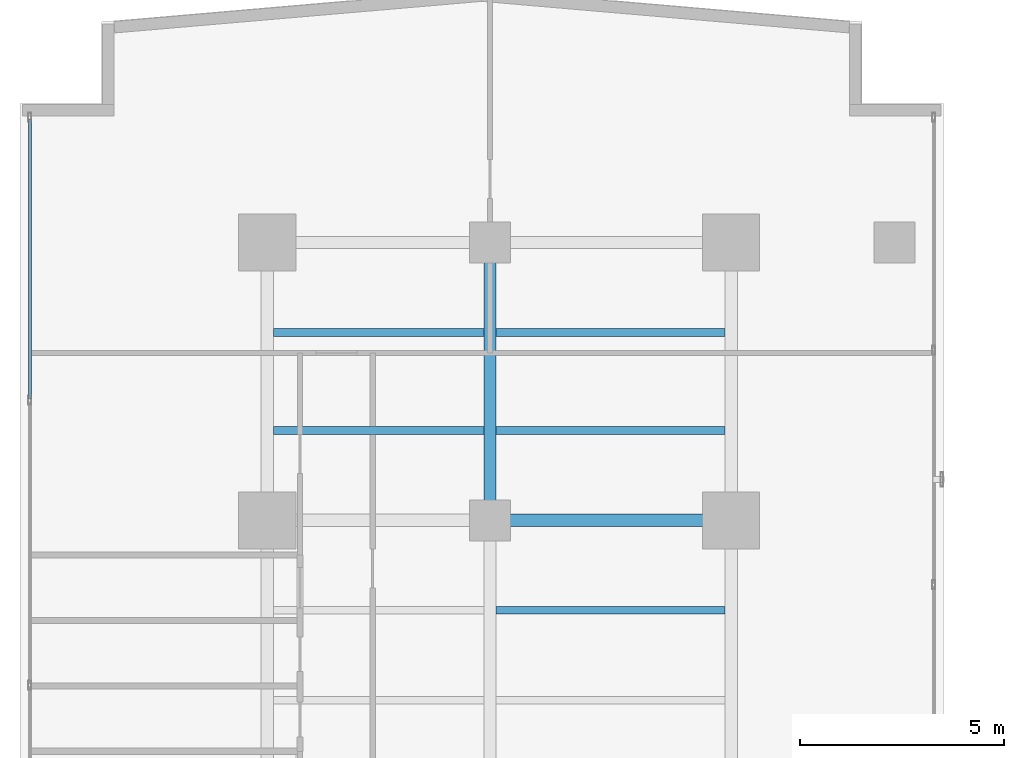
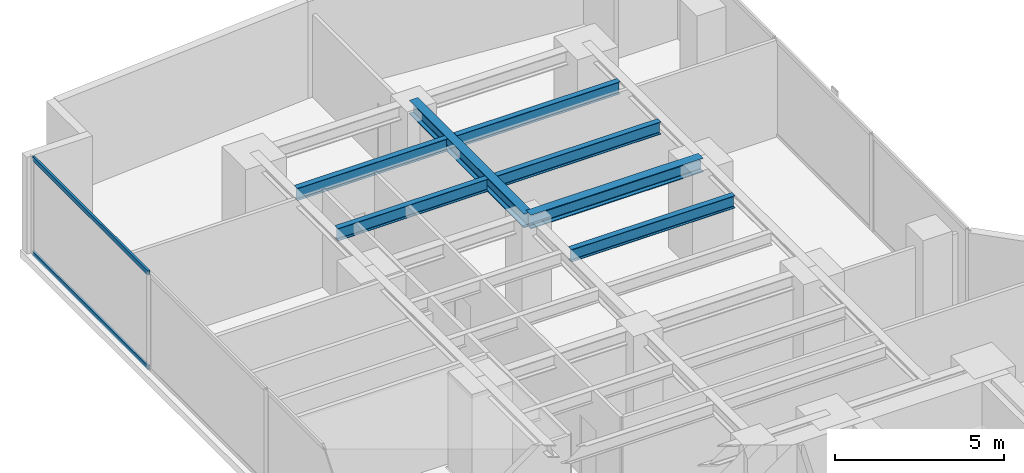
# One storey, part 15 of 25: 7 beams, 2 members, 1 element without a shape of its own.
"""IFC4 building model written with IfcOpenShell, lengths in metres."""

from ifc_helpers import new_model, si_unit, direction, frame, origin, origin_with_axes, origin_2d, place, context, subcontext, project, spatial, hollow_rectangle, i_section, extrude, source, transform, mapped, material, layer, layer_set, material_profile, profile_set, type_object, element, aggregate, save


model = new_model("IFC4")

# Units and contexts
model_context = context("Model", 3, precision=1e-05, world=origin(), true_north=direction((0.0, 1.0)))
body_context = subcontext(model_context, "Body", "Model", "MODEL_VIEW")
ifc_project = project(units=[si_unit("LENGTHUNIT", "METRE"), si_unit("AREAUNIT", "SQUARE_METRE"), si_unit("VOLUMEUNIT", "CUBIC_METRE"), si_unit("PLANEANGLEUNIT", "RADIAN"), si_unit("MASSUNIT", "GRAM", prefix="KILO")], contexts=[model_context])

# Site, building, storey
site_placement = place(None, origin())
site = spatial("IfcSite", under=ifc_project, at=site_placement, CompositionType="ELEMENT")
building_placement = place(site_placement, origin())
building = spatial("IfcBuilding", under=site, at=building_placement, Name="Kolvaren Waterfront Exchange", CompositionType="ELEMENT")
storey_placement = place(building_placement, frame((0.0, 0.0, 106.89990234375)))
storey = spatial("IfcBuildingStorey", under=building, at=storey_placement, Name="L27", CompositionType="ELEMENT", Elevation=106.89990234375)

# Beams
ifc_material_1 = material(Name="Steel S355", Category="steel")
ifc_material_profile_1 = material_profile(ifc_material_1, i_section(OverallWidth=0.300048828125, OverallDepth=0.5, WebThickness=0.014404296875, FlangeThickness=0.028076171875, FilletRadius=0.027099609375, at=origin_2d()), Name="HEB500")
ifc_profile_set_1 = profile_set([ifc_material_profile_1], Name="Steel S355")
beam_type_1 = type_object("IfcBeamType", Name="STR-BM-HEB500", PredefinedType="BEAM", material=ifc_profile_set_1)
beam_1_placement = place(storey_placement, frame((12.89990234375, 37.800048828125, 3.25), z_axis=(1.0, 0.0, 0.0), x_axis=(0.0, 1.0, 0.0)))
element("IfcBeam", 1, at=beam_1_placement, inside=storey, type_object=beam_type_1, Name="L27 north-arm girder 3B", PredefinedType="BEAM", context=body_context, shape_type="SweptSolid", body=[
    extrude(i_section(OverallWidth=0.300048828125, OverallDepth=0.5, WebThickness=0.014404296875, FlangeThickness=0.028076171875, FilletRadius=0.027099609375, at=origin_2d()), origin(), (0.0, 0.0, 1.0), 5.900146484375),
])
beam_2_placement = place(storey_placement, frame((12.89990234375, 37.800048828125, 3.25), z_axis=(0.0, 1.0, 0.0), x_axis=(-1.0, 0.0, 0.0)))
element("IfcBeam", 2, at=beam_2_placement, inside=storey, type_object=beam_type_1, Name="L27 north-arm edge beam 3", PredefinedType="BEAM", context=body_context, shape_type="SweptSolid", body=[
    extrude(i_section(OverallWidth=0.300048828125, OverallDepth=0.5, WebThickness=0.014404296875, FlangeThickness=0.028076171875, FilletRadius=0.027099609375, at=origin_2d()), origin(), (0.0, 0.0, 1.0), 6.800048828125),
])
ifc_material_profile_2 = material_profile(ifc_material_1, i_section(OverallWidth=0.18994140625, OverallDepth=0.449951171875, WebThickness=0.009521484375, FlangeThickness=0.0146484375, FilletRadius=0.02099609375, at=origin_2d()), Name="IPE450")
ifc_profile_set_2 = profile_set([ifc_material_profile_2], Name="Steel S355")
beam_type_2 = type_object("IfcBeamType", Name="STR-BM-IPE450", PredefinedType="JOIST", material=ifc_profile_set_2)
beam_3_placement = place(storey_placement, frame((13.052001953125, 35.60009765625, 3.275146484375), z_axis=(1.0, 0.0, 0.0), x_axis=(0.0, 1.0, 0.0)))
element("IfcBeam", 3, at=beam_3_placement, inside=storey, type_object=beam_type_2, Name="L27 north-arm composite joist 4B", PredefinedType="JOIST", context=body_context, shape_type="SweptSolid", body=[
    extrude(i_section(OverallWidth=0.18994140625, OverallDepth=0.449951171875, WebThickness=0.009521484375, FlangeThickness=0.0146484375, FilletRadius=0.02099609375, at=origin_2d()), origin(), (0.0, 0.0, 1.0), 5.595947265625),
])
beam_4_placement = place(storey_placement, frame((7.60205078125, 40.0, 3.275146484375), z_axis=(1.0, 0.0, 0.0), x_axis=(0.0, 1.0, 0.0)))
element("IfcBeam", 4, at=beam_4_placement, inside=storey, type_object=beam_type_2, Name="L27 north-arm composite joist 5A", PredefinedType="JOIST", context=body_context, shape_type="SweptSolid", body=[
    extrude(i_section(OverallWidth=0.18994140625, OverallDepth=0.449951171875, WebThickness=0.009521484375, FlangeThickness=0.0146484375, FilletRadius=0.02099609375, at=origin_2d()), origin(), (0.0, 0.0, 1.0), 5.14599609375),
])
beam_5_placement = place(storey_placement, frame((13.052001953125, 40.0, 3.275146484375), z_axis=(1.0, 0.0, 0.0), x_axis=(0.0, 1.0, 0.0)))
element("IfcBeam", 5, at=beam_5_placement, inside=storey, type_object=beam_type_2, Name="L27 north-arm composite joist 5B", PredefinedType="JOIST", context=body_context, shape_type="SweptSolid", body=[
    extrude(i_section(OverallWidth=0.18994140625, OverallDepth=0.449951171875, WebThickness=0.009521484375, FlangeThickness=0.0146484375, FilletRadius=0.02099609375, at=origin_2d()), origin(), (0.0, 0.0, 1.0), 5.595947265625),
])
beam_6_placement = place(storey_placement, frame((7.60205078125, 42.39990234375, 3.275146484375), z_axis=(1.0, 0.0, 0.0), x_axis=(0.0, 1.0, 0.0)))
element("IfcBeam", 6, at=beam_6_placement, inside=storey, type_object=beam_type_2, Name="L27 north-arm composite joist 6A", PredefinedType="JOIST", context=body_context, shape_type="SweptSolid", body=[
    extrude(i_section(OverallWidth=0.18994140625, OverallDepth=0.449951171875, WebThickness=0.009521484375, FlangeThickness=0.0146484375, FilletRadius=0.02099609375, at=origin_2d()), origin(), (0.0, 0.0, 1.0), 5.14599609375),
])
beam_7_placement = place(storey_placement, frame((13.052001953125, 42.39990234375, 3.275146484375), z_axis=(1.0, 0.0, 0.0), x_axis=(0.0, 1.0, 0.0)))
element("IfcBeam", 7, at=beam_7_placement, inside=storey, type_object=beam_type_2, Name="L27 north-arm composite joist 6B", PredefinedType="JOIST", context=body_context, shape_type="SweptSolid", body=[
    extrude(i_section(OverallWidth=0.18994140625, OverallDepth=0.449951171875, WebThickness=0.009521484375, FlangeThickness=0.0146484375, FilletRadius=0.02099609375, at=origin_2d()), origin(), (0.0, 0.0, 1.0), 5.595947265625),
])

# Curtain wall, members
ifc_material_2 = material(Name="Anodised aluminium 6063-T6", Category="aluminium")
ifc_layer = layer(ifc_material_2, 0.219970703125, Name="Anodised aluminium 6063-T6")
ifc_layer_set = layer_set([ifc_layer], Name="Anodised aluminium 6063-T6")
curtain_wall_type = type_object("IfcCurtainWallType", Name="ARC-CW-SYS2", PredefinedType="USERDEFINED", material=ifc_layer_set)
curtain_wall_placement = place(storey_placement, origin())
curtain_wall = element("IfcCurtainWall", 8, at=curtain_wall_placement, inside=storey, type_object=curtain_wall_type, Name="L27 stick curtain wall CW2 (CW-L27-W)", ObjectType="STICK CURTAIN WALL", PredefinedType="USERDEFINED")
ifc_material_profile_3 = material_profile(ifc_material_2, hollow_rectangle(XDim=0.074951171875, YDim=0.159912109375, WallThickness=0.00439453125, at=origin_2d()), Name="ALU-TRN-160x75x4.5")
ifc_profile_set_3 = profile_set([ifc_material_profile_3], Name="Anodised aluminium 6063-T6")
member_type = type_object("IfcMemberType", Name="ARC-CWT-160", PredefinedType="USERDEFINED", material=ifc_profile_set_3)
shared_shape = source(origin_with_axes(), body_context, "Body", "SweptSolid", [
    extrude(hollow_rectangle(XDim=0.074951171875, YDim=0.159912109375, WallThickness=0.00439453125, at=origin_2d()), origin(), (0.0, 0.0, 1.0), 6.8466796875),
])
member_1_placement = place(storey_placement, frame((1.639892578125, 40.7734375, 0.03759765625), z_axis=(0.0, 1.0, 0.0), x_axis=(-1.0, 0.0, 0.0)))
member_1 = element("IfcMember", 9, at=member_1_placement, type_object=member_type, Name="CW2 transom 6.1", ObjectType="TRANSOM", PredefinedType="USERDEFINED", context=body_context, shape_type="MappedRepresentation", body=[
    mapped(shared_shape, transform((0.0, 0.0, 0.0), x_axis=(1.0, 0.0, 0.0), y_axis=(0.0, 1.0, 0.0), z_axis=(0.0, 0.0, 1.0), scale=1.0)),
])
member_2_placement = place(storey_placement, frame((1.639892578125, 40.7734375, 3.462646484375), z_axis=(0.0, 1.0, 0.0), x_axis=(-1.0, 0.0, 0.0)))
member_2 = element("IfcMember", 10, at=member_2_placement, type_object=member_type, Name="CW2 transom 6.2", ObjectType="TRANSOM", PredefinedType="USERDEFINED", context=body_context, shape_type="MappedRepresentation", body=[
    mapped(shared_shape, transform((0.0, 0.0, 0.0), x_axis=(1.0, 0.0, 0.0), y_axis=(0.0, 1.0, 0.0), z_axis=(0.0, 0.0, 1.0), scale=1.0)),
])
aggregate(curtain_wall, [member_1, member_2])

save(model, "model.ifc")
